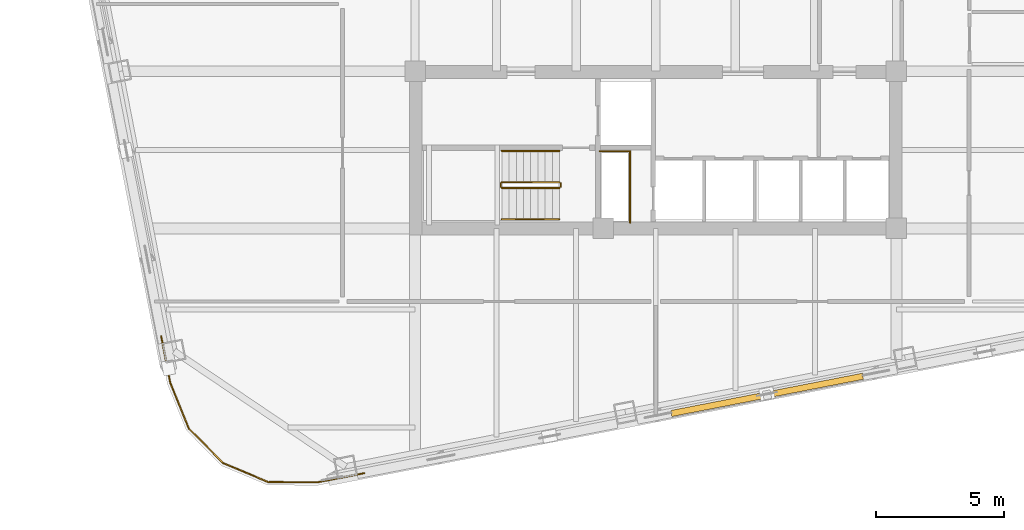
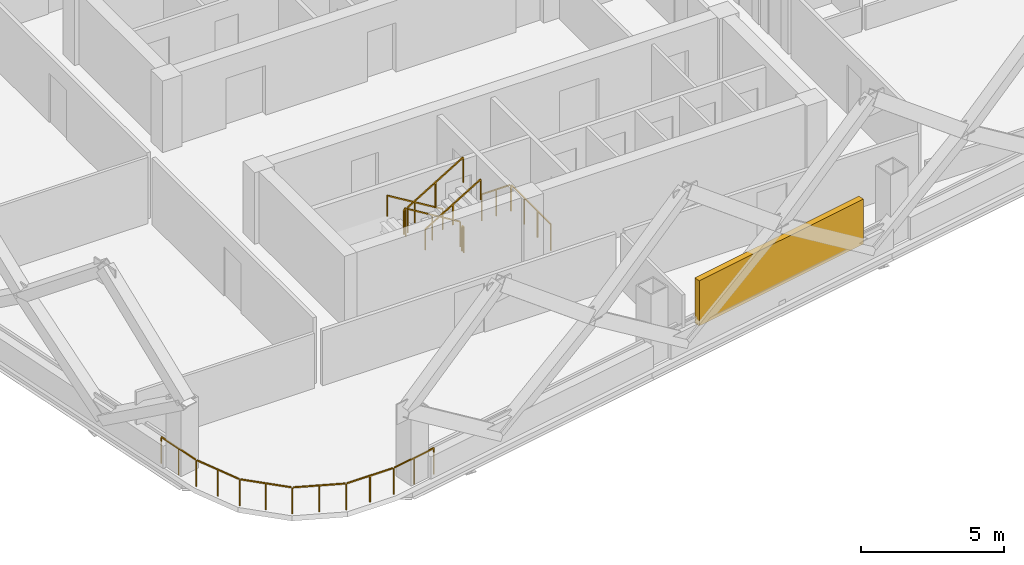
# One storey, part 7 of 9: 8 railings, 1 shading device.
"""IFC4 building model written with IfcOpenShell, lengths in metres."""

from ifc_helpers import new_model, si_unit, direction, frame, origin, origin_2d, place, context, subcontext, project, spatial, rectangle, extrude, material, type_object, element, save


model = new_model("IFC4")

# Units and contexts
model_context = context("Model", 3, precision=1e-05, world=origin(), true_north=direction((0.0, 1.0)))
body_context = subcontext(model_context, "Body", "Model", "MODEL_VIEW")
ifc_project = project(units=[si_unit("LENGTHUNIT", "METRE"), si_unit("AREAUNIT", "SQUARE_METRE"), si_unit("VOLUMEUNIT", "CUBIC_METRE"), si_unit("PLANEANGLEUNIT", "RADIAN"), si_unit("MASSUNIT", "GRAM", prefix="KILO")], contexts=[model_context])

# Site, building, storey
site_placement = place(None, origin())
site = spatial("IfcSite", under=ifc_project, at=site_placement, CompositionType="ELEMENT")
building_placement = place(site_placement, origin())
building = spatial("IfcBuilding", under=site, at=building_placement, Name="Qhalaya Broadcast Tower", CompositionType="ELEMENT")
storey_placement = place(building_placement, frame((0.0, 0.0, 137.199951171875)))
storey = spatial("IfcBuildingStorey", under=building, at=storey_placement, Name="L40", CompositionType="ELEMENT", Elevation=137.199951171875)

# Railings
ifc_material_1 = material(Name="Powder-Coated Galvanised Steel", Category="steel")
railing_type_1 = type_object("IfcRailingType", Name="Stair Wall Handrail 900", PredefinedType="HANDRAIL", material=ifc_material_1)
railing_1_placement = place(storey_placement, frame((-3.75, -5.72998046875, 0.16943359375)))
element("IfcRailing", 1, at=railing_1_placement, inside=storey, type_object=railing_type_1, Name="L40 ST-2 Stair Handrail 1", PredefinedType="HANDRAIL", context=body_context, shape_type="SweptSolid", body=[
    extrude(rectangle(XDim=0.048095703125, YDim=0.048095703125, at=origin_2d()), frame((0.0, 0.0, 0.8759765625), z_axis=(-0.855512035549, 0.0, 0.517782924622), x_axis=(0.0, -1.0, 0.0)), (0.0, 0.0, 1.0), 2.618408203125),
    extrude(rectangle(XDim=0.0419921875, YDim=0.0419921875, at=origin_2d()), origin(), (0.0, 0.0, 1.0), 0.849853515625),
    extrude(rectangle(XDim=0.0419921875, YDim=0.0419921875, at=origin_2d()), frame((-1.1201171875, 0.0, 0.677734375)), (0.0, 0.0, 1.0), 0.849853515625),
    extrude(rectangle(XDim=0.0419921875, YDim=0.0419921875, at=origin_2d()), frame((-2.239990234375, 0.0, 1.355712890625)), (0.0, 0.0, 1.0), 0.849853515625),
])
railing_2_placement = place(storey_placement, frame((-5.989990234375, -8.389892578125, 1.694580078125)))
element("IfcRailing", 2, at=railing_2_placement, inside=storey, type_object=railing_type_1, Name="L40 ST-2 Stair Handrail 2", PredefinedType="HANDRAIL", context=body_context, shape_type="SweptSolid", body=[
    extrude(rectangle(XDim=0.048095703125, YDim=0.048095703125, at=origin_2d()), frame((0.0, 0.0, 0.8759765625), z_axis=(0.855553338991, 0.0, 0.51771467445), x_axis=(0.0, 1.0, 0.0)), (0.0, 0.0, 1.0), 2.6181640625),
    extrude(rectangle(XDim=0.0419921875, YDim=0.0419921875, at=origin_2d()), origin(), (0.0, 0.0, 1.0), 0.849853515625),
    extrude(rectangle(XDim=0.0419921875, YDim=0.0419921875, at=origin_2d()), frame((1.1201171875, 0.0, 0.677734375)), (0.0, 0.0, 1.0), 0.849853515625),
    extrude(rectangle(XDim=0.0419921875, YDim=0.0419921875, at=origin_2d()), frame((2.239990234375, 0.0, 1.35546875)), (0.0, 0.0, 1.0), 0.849853515625),
])
railing_type_2 = type_object("IfcRailingType", Name="Stair Well & Landing Guardrail 1100", PredefinedType="GUARDRAIL", material=ifc_material_1)
railing_3_placement = place(storey_placement, frame((-1.0, -8.52001953125, 0.0)))
element("IfcRailing", 3, at=railing_3_placement, inside=storey, type_object=railing_type_2, Name="L40 Service Riser Opening Safety Guard SRSR", PredefinedType="GUARDRAIL", context=body_context, shape_type="SweptSolid", body=[
    extrude(rectangle(XDim=0.048095703125, YDim=0.048095703125, at=origin_2d()), frame((0.0, 0.0, 1.1259765625), z_axis=(0.0, 1.0, 0.0), x_axis=(-1.0, 0.0, 0.0)), (0.0, 0.0, 1.0), 2.751220703125),
    extrude(rectangle(XDim=0.048095703125, YDim=0.048095703125, at=origin_2d()), frame((-0.02880859375, 2.780029296875, 1.1259765625), z_axis=(-1.0, 0.0, 0.0), x_axis=(0.0, -1.0, 0.0)), (0.0, 0.0, 1.0), 1.151123046875),
    extrude(rectangle(XDim=0.0419921875, YDim=0.0419921875, at=origin_2d()), origin(), (0.0, 0.0, 1.0), 1.099853515625),
    extrude(rectangle(XDim=0.0419921875, YDim=0.0419921875, at=origin_2d()), frame((0.0, 0.9267578125, 0.0)), (0.0, 0.0, 1.0), 1.099853515625),
    extrude(rectangle(XDim=0.0419921875, YDim=0.0419921875, at=origin_2d()), frame((0.0, 1.853271484375, 0.0)), (0.0, 0.0, 1.0), 1.099853515625),
    extrude(rectangle(XDim=0.0419921875, YDim=0.0419921875, at=origin_2d()), frame((0.0, 2.780029296875, 0.0)), (0.0, 0.0, 1.0), 1.099853515625),
    extrude(rectangle(XDim=0.0419921875, YDim=0.0419921875, at=origin_2d()), frame((-0.58984375, 2.780029296875, 0.0)), (0.0, 0.0, 1.0), 1.099853515625),
    extrude(rectangle(XDim=0.0419921875, YDim=0.0419921875, at=origin_2d()), frame((-1.179931640625, 2.780029296875, 0.0)), (0.0, 0.0, 1.0), 1.099853515625),
])
railing_4_placement = place(storey_placement, frame((-3.75, -6.949951171875, 0.16943359375)))
element("IfcRailing", 4, at=railing_4_placement, inside=storey, type_object=railing_type_2, Name="L40 ST-2 Stair Guard 1", PredefinedType="GUARDRAIL", context=body_context, shape_type="SweptSolid", body=[
    extrude(rectangle(XDim=0.048095703125, YDim=0.048095703125, at=origin_2d()), frame((0.0, 0.0, 1.076171875), z_axis=(-0.855512035549, 0.0, 0.517782924622), x_axis=(0.0, -1.0, 0.0)), (0.0, 0.0, 1.0), 2.618408203125),
    extrude(rectangle(XDim=0.0419921875, YDim=0.0419921875, at=origin_2d()), origin(), (0.0, 0.0, 1.0), 1.050048828125),
    extrude(rectangle(XDim=0.0419921875, YDim=0.0419921875, at=origin_2d()), frame((-1.1201171875, 0.0, 0.677734375)), (0.0, 0.0, 1.0), 1.050048828125),
    extrude(rectangle(XDim=0.0419921875, YDim=0.0419921875, at=origin_2d()), frame((-2.239990234375, 0.0, 1.355712890625)), (0.0, 0.0, 1.0), 1.050048828125),
])
railing_5_placement = place(storey_placement, frame((-6.0400390625, -7.0, 1.525146484375)))
element("IfcRailing", 5, at=railing_5_placement, inside=storey, type_object=railing_type_2, Name="L40 ST-2 Stair Guard 2", PredefinedType="GUARDRAIL", context=body_context, shape_type="SweptSolid", body=[
    extrude(rectangle(XDim=0.048095703125, YDim=0.048095703125, at=origin_2d()), frame((0.0, 0.0, 1.076171875), z_axis=(0.0, -1.0, 0.0), x_axis=(1.0, 0.0, 0.0)), (0.0, 0.0, 1.0), 0.1201171875),
    extrude(rectangle(XDim=0.0419921875, YDim=0.0419921875, at=origin_2d()), origin(), (0.0, 0.0, 1.0), 1.050048828125),
    extrude(rectangle(XDim=0.0419921875, YDim=0.0419921875, at=origin_2d()), frame((0.0, -0.1201171875, 0.0)), (0.0, 0.0, 1.0), 1.050048828125),
])
railing_6_placement = place(storey_placement, frame((-5.989990234375, -7.169921875, 1.694580078125)))
element("IfcRailing", 6, at=railing_6_placement, inside=storey, type_object=railing_type_2, Name="L40 ST-2 Stair Guard 3", PredefinedType="GUARDRAIL", context=body_context, shape_type="SweptSolid", body=[
    extrude(rectangle(XDim=0.048095703125, YDim=0.048095703125, at=origin_2d()), frame((0.0, 0.0, 1.076171875), z_axis=(0.855553338991, 0.0, 0.51771467445), x_axis=(0.0, 1.0, 0.0)), (0.0, 0.0, 1.0), 2.6181640625),
    extrude(rectangle(XDim=0.0419921875, YDim=0.0419921875, at=origin_2d()), origin(), (0.0, 0.0, 1.0), 1.050048828125),
    extrude(rectangle(XDim=0.0419921875, YDim=0.0419921875, at=origin_2d()), frame((1.1201171875, 0.0, 0.677734375)), (0.0, 0.0, 1.0), 1.050048828125),
    extrude(rectangle(XDim=0.0419921875, YDim=0.0419921875, at=origin_2d()), frame((2.239990234375, 0.0, 1.35546875)), (0.0, 0.0, 1.0), 1.050048828125),
])
railing_7_placement = place(storey_placement, frame((-3.699951171875, -7.0, 0.0)))
element("IfcRailing", 7, at=railing_7_placement, inside=storey, type_object=railing_type_2, Name="L40 ST-2 Stair Guard 4", PredefinedType="GUARDRAIL", context=body_context, shape_type="SweptSolid", body=[
    extrude(rectangle(XDim=0.048095703125, YDim=0.048095703125, at=origin_2d()), frame((0.0, 0.0, 1.076171875), z_axis=(0.0, -1.0, 0.0), x_axis=(1.0, 0.0, 0.0)), (0.0, 0.0, 1.0), 0.1201171875),
    extrude(rectangle(XDim=0.0419921875, YDim=0.0419921875, at=origin_2d()), origin(), (0.0, 0.0, 1.0), 1.050048828125),
    extrude(rectangle(XDim=0.0419921875, YDim=0.0419921875, at=origin_2d()), frame((0.0, -0.1201171875, 0.0)), (0.0, 0.0, 1.0), 1.050048828125),
])
railing_type_3 = type_object("IfcRailingType", Name="Terrace, Sky-Pool & Lookout Glass Balustrade 1150", PredefinedType="BALUSTRADE", material=ifc_material_1)
railing_8_placement = place(storey_placement, frame((-11.351318359375, -18.281982421875, 0.0)))
element("IfcRailing", 8, at=railing_8_placement, inside=storey, type_object=railing_type_3, Name="L40 Rounded Corner Perimeter Guard 02", PredefinedType="BALUSTRADE", context=body_context, shape_type="SweptSolid", body=[
    extrude(rectangle(XDim=0.048095703125, YDim=0.048095703125, at=origin_2d()), frame((0.0, 0.0, 1.1259765625), z_axis=(-0.981643446311, -0.190725311155, 0.0), x_axis=(0.190725311155, -0.981643446311, 0.0)), (0.0, 0.0, 1.0), 1.8271484375),
    extrude(rectangle(XDim=0.048095703125, YDim=0.048095703125, at=origin_2d()), frame((-1.850830078125, -0.353759765625, 1.1259765625), z_axis=(-0.999990606087, 0.004334482484, 0.0), x_axis=(-0.004334482484, -0.999990606087, 0.0)), (0.0, 0.0, 1.0), 1.857421875),
    extrude(rectangle(XDim=0.048095703125, YDim=0.048095703125, at=origin_2d()), frame((-3.763671875, -0.33447265625, 1.1259765625), z_axis=(-0.922247496545, 0.386599993684, 0.0), x_axis=(-0.386599993684, -0.922247496545, 0.0)), (0.0, 0.0, 1.0), 1.845703125),
    extrude(rectangle(XDim=0.048095703125, YDim=0.048095703125, at=origin_2d()), frame((-5.5126953125, 0.41064453125, 1.1259765625), z_axis=(-0.704021268228, 0.710178888649, 0.0), x_axis=(-0.710178888649, -0.704021268228, 0.0)), (0.0, 0.0, 1.0), 1.845458984375),
    extrude(rectangle(XDim=0.048095703125, YDim=0.048095703125, at=origin_2d()), frame((-6.84326171875, 1.768310546875, 1.1259765625), z_axis=(-0.378588174109, 0.925565229698, 0.0), x_axis=(-0.925565229698, -0.378588174109, 0.0)), (0.0, 0.0, 1.0), 1.857666015625),
    extrude(rectangle(XDim=0.048095703125, YDim=0.048095703125, at=origin_2d()), frame((-7.56298828125, 3.542724609375, 1.1259765625), z_axis=(-0.190725311155, 0.981643446311, 0.0), x_axis=(-0.981643446311, -0.190725311155, 0.0)), (0.0, 0.0, 1.0), 1.8271484375),
    extrude(rectangle(XDim=0.0419921875, YDim=0.0419921875, at=origin_2d()), origin(), (0.0, 0.0, 1.0), 1.099853515625),
    extrude(rectangle(XDim=0.0419921875, YDim=0.0419921875, at=origin_2d()), frame((-0.9111328125, -0.177001953125, 0.0)), (0.0, 0.0, 1.0), 1.099853515625),
    extrude(rectangle(XDim=0.0419921875, YDim=0.0419921875, at=origin_2d()), frame((-1.822021484375, -0.35400390625, 0.0)), (0.0, 0.0, 1.0), 1.099853515625),
    extrude(rectangle(XDim=0.0419921875, YDim=0.0419921875, at=origin_2d()), frame((-2.779541015625, -0.349853515625, 0.0)), (0.0, 0.0, 1.0), 1.099853515625),
    extrude(rectangle(XDim=0.0419921875, YDim=0.0419921875, at=origin_2d()), frame((-3.737060546875, -0.345703125, 0.0)), (0.0, 0.0, 1.0), 1.099853515625),
    extrude(rectangle(XDim=0.0419921875, YDim=0.0419921875, at=origin_2d()), frame((-4.61474609375, 0.022216796875, 0.0)), (0.0, 0.0, 1.0), 1.099853515625),
    extrude(rectangle(XDim=0.0419921875, YDim=0.0419921875, at=origin_2d()), frame((-5.492431640625, 0.39013671875, 0.0)), (0.0, 0.0, 1.0), 1.099853515625),
    extrude(rectangle(XDim=0.0419921875, YDim=0.0419921875, at=origin_2d()), frame((-6.162353515625, 1.06591796875, 0.0)), (0.0, 0.0, 1.0), 1.099853515625),
    extrude(rectangle(XDim=0.0419921875, YDim=0.0419921875, at=origin_2d()), frame((-6.832275390625, 1.74169921875, 0.0)), (0.0, 0.0, 1.0), 1.099853515625),
    extrude(rectangle(XDim=0.0419921875, YDim=0.0419921875, at=origin_2d()), frame((-7.19482421875, 2.6279296875, 0.0)), (0.0, 0.0, 1.0), 1.099853515625),
    extrude(rectangle(XDim=0.0419921875, YDim=0.0419921875, at=origin_2d()), frame((-7.557373046875, 3.514404296875, 0.0)), (0.0, 0.0, 1.0), 1.099853515625),
    extrude(rectangle(XDim=0.0419921875, YDim=0.0419921875, at=origin_2d()), frame((-7.734375, 4.42529296875, 0.0)), (0.0, 0.0, 1.0), 1.099853515625),
    extrude(rectangle(XDim=0.0419921875, YDim=0.0419921875, at=origin_2d()), frame((-7.911376953125, 5.33642578125, 0.0)), (0.0, 0.0, 1.0), 1.099853515625),
])

# Shading device
ifc_material_2 = material(Name="Fired Architectural Terracotta", Category="masonry")
shading_device_type = type_object("IfcShadingDeviceType", Name="Terracotta Baguette Solar Screen Assembly TBS-01", PredefinedType="USERDEFINED", material=ifc_material_2)
shading_device_placement = place(storey_placement, frame((4.337158203125, -15.232421875, 0.79248046875), z_axis=(0.0, 0.0, 1.0), x_axis=(0.981627183448, 0.190808995377, 0.0)))
element("IfcShadingDevice", 9, at=shading_device_placement, inside=storey, type_object=shading_device_type, Name="L40 Fired Terracotta Baguette Screen S", ObjectType="BAGUETTE", PredefinedType="USERDEFINED", context=body_context, shape_type="SweptSolid", body=[
    extrude(rectangle(XDim=7.60009765625, YDim=0.239990234375, at=origin_2d()), origin(), (0.0, 0.0, 1.0), 1.924072265625),
])

save(model, "model.ifc")
